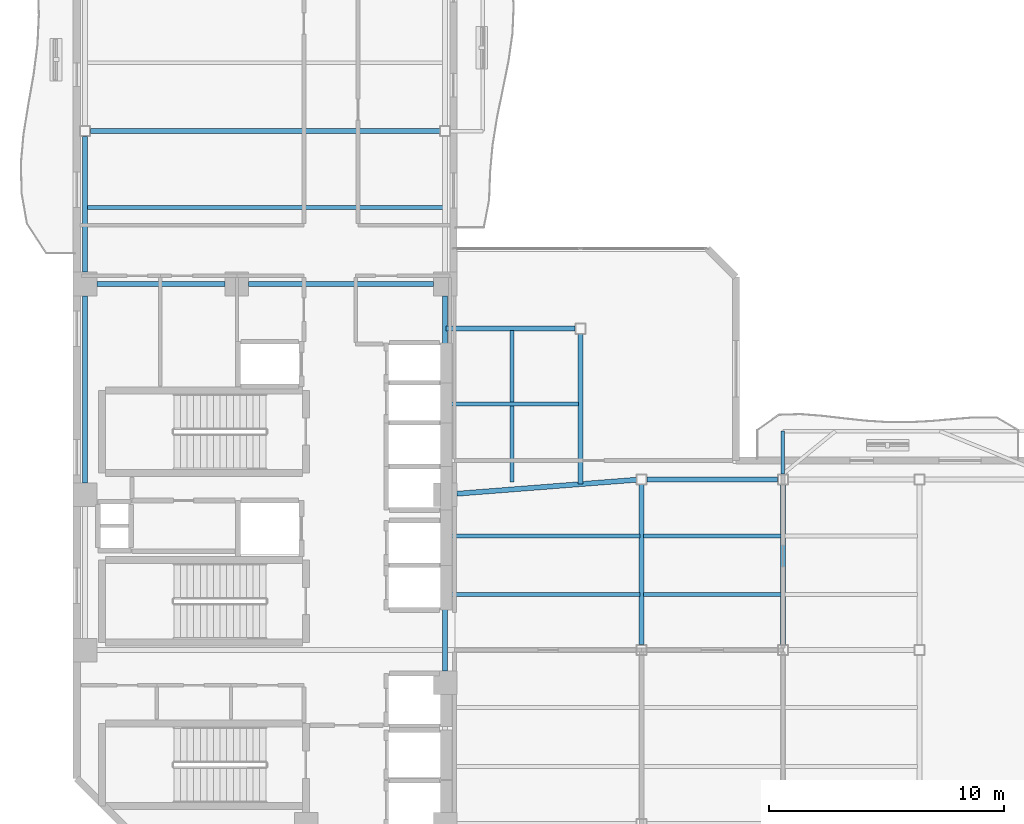
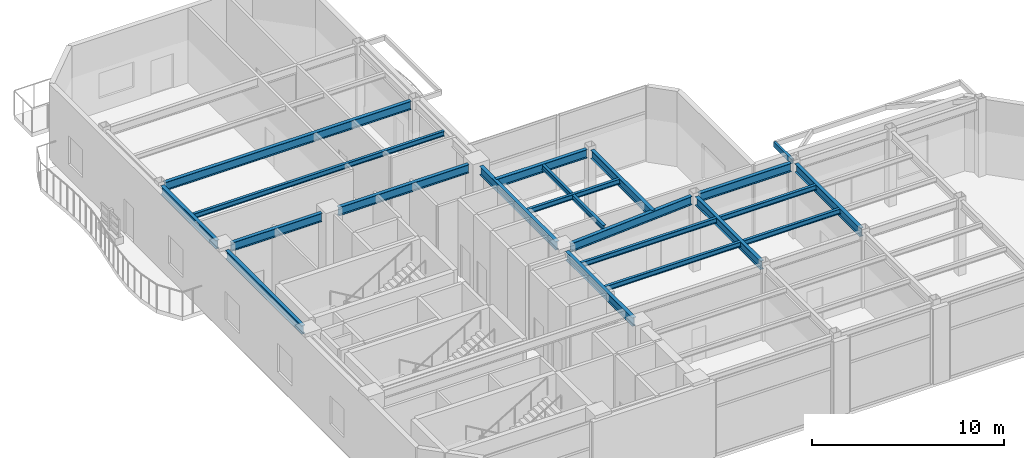
# One storey, part 6 of 16: 21 beams.
"""IFC4 building model written with IfcOpenShell, lengths in metres."""

from ifc_helpers import new_model, si_unit, direction, frame, origin, origin_2d, place, context, subcontext, project, spatial, hollow_rectangle, i_section, extrude, material, material_profile, profile_set, type_object, element, save


model = new_model("IFC4")

# Units and contexts
model_context = context("Model", 3, precision=1e-05, world=origin(), true_north=direction((0.0, 1.0)))
body_context = subcontext(model_context, "Body", "Model", "MODEL_VIEW")
ifc_project = project(units=[si_unit("LENGTHUNIT", "METRE"), si_unit("AREAUNIT", "SQUARE_METRE"), si_unit("VOLUMEUNIT", "CUBIC_METRE"), si_unit("PLANEANGLEUNIT", "RADIAN"), si_unit("MASSUNIT", "GRAM", prefix="KILO")], contexts=[model_context])

# Site, building, storey
site_placement = place(None, origin())
site = spatial("IfcSite", under=ifc_project, at=site_placement, CompositionType="ELEMENT")
building_placement = place(site_placement, origin())
building = spatial("IfcBuilding", under=site, at=building_placement, Name="Mawjaban Terraces University", CompositionType="ELEMENT")
storey_placement = place(building_placement, frame((0.0, 0.0, 170.800048828125)))
storey = spatial("IfcBuildingStorey", under=building, at=storey_placement, Name="L41", CompositionType="ELEMENT", Elevation=170.800048828125)

# Beams
ifc_material_1 = material(Name="Steel EN 10210-1 S355J2H", Category="steel")
ifc_material_profile_1 = material_profile(ifc_material_1, hollow_rectangle(XDim=0.14990234375, YDim=0.300048828125, WallThickness=0.012451171875, at=origin_2d()), Name="RHS300X150X12.5")
ifc_profile_set_1 = profile_set([ifc_material_profile_1], Name="Steel EN 10210-1 S355J2H")
beam_type_1 = type_object("IfcBeamType", Name="BalconyCantileverSpandrel_RHS", PredefinedType="SPANDREL", material=ifc_profile_set_1)
beam_1_placement = place(storey_placement, frame((52.0, 15.425048828125, 4.639892578125), z_axis=(0.0, 1.0, 0.0), x_axis=(-1.0, 0.0, 0.0)))
element("IfcBeam", 1, at=beam_1_placement, inside=storey, type_object=beam_type_1, Name="L41 Exterior Outrigger BAL-L42-N.1", PredefinedType="SPANDREL", context=body_context, shape_type="SweptSolid", body=[
    extrude(hollow_rectangle(XDim=0.14990234375, YDim=0.300048828125, WallThickness=0.012451171875, at=origin_2d()), origin(), (0.0, 0.0, 1.0), 1.824951171875),
])
ifc_material_2 = material(Name="Steel ASTM A572 Grade 50", Category="steel")
ifc_material_profile_2 = material_profile(ifc_material_2, i_section(OverallWidth=0.2119140625, OverallDepth=0.5439453125, WebThickness=0.01318359375, FlangeThickness=0.021240234375, at=origin_2d()), Name="W530X123")
ifc_profile_set_2 = profile_set([ifc_material_profile_2], Name="Steel ASTM A572 Grade 50")
beam_type_2 = type_object("IfcBeamType", Name="Beam_B_W530X123", PredefinedType="BEAM", material=ifc_profile_set_2)
beam_2_placement = place(storey_placement, frame((46.22509765625, 15.199951171875, 4.51806640625), z_axis=(1.0, 0.0, 0.0), x_axis=(0.0, 1.0, 0.0)))
element("IfcBeam", 2, at=beam_2_placement, inside=storey, type_object=beam_type_2, Name="L41 Beam BM-L41-EW-07", PredefinedType="BEAM", context=body_context, shape_type="SweptSolid", body=[
    extrude(i_section(OverallWidth=0.2119140625, OverallDepth=0.5439453125, WebThickness=0.01318359375, FlangeThickness=0.021240234375, at=origin_2d()), origin(), (0.0, 0.0, 1.0), 5.5498046875),
])
beam_3_placement = place(storey_placement, frame((22.85009765625, 23.5, 4.51806640625), z_axis=(1.0, 0.0, 0.0), x_axis=(0.0, 1.0, 0.0)))
element("IfcBeam", 3, at=beam_3_placement, inside=storey, type_object=beam_type_2, Name="L41 Beam BM-L41-EW-10", PredefinedType="BEAM", context=body_context, shape_type="SweptSolid", body=[
    extrude(i_section(OverallWidth=0.2119140625, OverallDepth=0.5439453125, WebThickness=0.01318359375, FlangeThickness=0.021240234375, at=origin_2d()), origin(), (0.0, 0.0, 1.0), 5.449951171875),
])
beam_4_placement = place(storey_placement, frame((29.300048828125, 23.5, 4.51806640625), z_axis=(1.0, 0.0, 0.0), x_axis=(0.0, 1.0, 0.0)))
element("IfcBeam", 4, at=beam_4_placement, inside=storey, type_object=beam_type_2, Name="L41 Beam BM-L41-EW-11", PredefinedType="BEAM", context=body_context, shape_type="SweptSolid", body=[
    extrude(i_section(OverallWidth=0.2119140625, OverallDepth=0.5439453125, WebThickness=0.01318359375, FlangeThickness=0.021240234375, at=origin_2d()), origin(), (0.0, 0.0, 1.0), 7.849853515625),
])
beam_5_placement = place(storey_placement, frame((22.574951171875, 30.0, 4.51806640625), z_axis=(1.0, 0.0, 0.0), x_axis=(0.0, 1.0, 0.0)))
element("IfcBeam", 5, at=beam_5_placement, inside=storey, type_object=beam_type_2, Name="L41 Beam BM-L41-EW-12", PredefinedType="BEAM", context=body_context, shape_type="SweptSolid", body=[
    extrude(i_section(OverallWidth=0.2119140625, OverallDepth=0.5439453125, WebThickness=0.01318359375, FlangeThickness=0.021240234375, at=origin_2d()), origin(), (0.0, 0.0, 1.0), 14.85009765625),
])
beam_6_placement = place(storey_placement, frame((22.35009765625, 15.050048828125, 4.51806640625), z_axis=(0.0, 1.0, 0.0), x_axis=(-1.0, 0.0, 0.0)))
element("IfcBeam", 6, at=beam_6_placement, inside=storey, type_object=beam_type_2, Name="L41 Beam BM-L41-NS-02", PredefinedType="BEAM", context=body_context, shape_type="SweptSolid", body=[
    extrude(i_section(OverallWidth=0.2119140625, OverallDepth=0.5439453125, WebThickness=0.01318359375, FlangeThickness=0.021240234375, at=origin_2d()), origin(), (0.0, 0.0, 1.0), 7.949951171875),
])
beam_7_placement = place(storey_placement, frame((22.35009765625, 24.0, 4.51806640625), z_axis=(0.0, 1.0, 0.0), x_axis=(-1.0, 0.0, 0.0)))
element("IfcBeam", 7, at=beam_7_placement, inside=storey, type_object=beam_type_2, Name="L41 Beam BM-L41-NS-03", PredefinedType="BEAM", context=body_context, shape_type="SweptSolid", body=[
    extrude(i_section(OverallWidth=0.2119140625, OverallDepth=0.5439453125, WebThickness=0.01318359375, FlangeThickness=0.021240234375, at=origin_2d()), origin(), (0.0, 0.0, 1.0), 5.77490234375),
])
beam_8_placement = place(storey_placement, frame((37.64990234375, 7.050048828125, 4.51806640625), z_axis=(0.0, 1.0, 0.0), x_axis=(-1.0, 0.0, 0.0)))
element("IfcBeam", 8, at=beam_8_placement, inside=storey, type_object=beam_type_2, Name="L41 Beam BM-L41-NS-06", PredefinedType="BEAM", context=body_context, shape_type="SweptSolid", body=[
    extrude(i_section(OverallWidth=0.2119140625, OverallDepth=0.5439453125, WebThickness=0.01318359375, FlangeThickness=0.021240234375, at=origin_2d()), origin(), (0.0, 0.0, 1.0), 7.0),
])
beam_9_placement = place(storey_placement, frame((37.64990234375, 15.050048828125, 4.51806640625), z_axis=(0.0, 1.0, 0.0), x_axis=(-1.0, 0.0, 0.0)))
element("IfcBeam", 9, at=beam_9_placement, inside=storey, type_object=beam_type_2, Name="L41 Beam BM-L41-NS-07", PredefinedType="BEAM", context=body_context, shape_type="SweptSolid", body=[
    extrude(i_section(OverallWidth=0.2119140625, OverallDepth=0.5439453125, WebThickness=0.01318359375, FlangeThickness=0.021240234375, at=origin_2d()), origin(), (0.0, 0.0, 1.0), 7.949951171875),
])
for number, where, z_axis, x_axis, name in (
    (10, (46.0, 8.175048828125, 4.51806640625), (0.0, 1.0, 0.0), (-1.0, 0.0, 0.0), "L41 Beam BM-L41-NS-11"),
    (11, (52.0, 8.175048828125, 4.51806640625), (0.0, 1.0, 0.0), (-1.0, 0.0, 0.0), "L41 Beam BM-L41-NS-13"),
):
    element("IfcBeam", number, at=place(storey_placement, frame(where, z_axis=z_axis, x_axis=x_axis)), inside=storey, type_object=beam_type_2, Name=name, PredefinedType="BEAM", context=body_context, shape_type="SweptSolid", body=[
        extrude(i_section(OverallWidth=0.2119140625, OverallDepth=0.5439453125, WebThickness=0.01318359375, FlangeThickness=0.021240234375, at=origin_2d()), origin(), (0.0, 0.0, 1.0), 6.800048828125),
    ])
beam_10_placement = place(storey_placement, frame((38.14794921875, 14.589111328125, 4.51806640625), z_axis=(0.99698177718, 0.077635919341, 0.0), x_axis=(-0.077635919341, 0.99698177718, 0.0)))
element("IfcBeam", 12, at=beam_10_placement, inside=storey, type_object=beam_type_2, Name="L41 Beam BM-L41-CTIE", PredefinedType="BEAM", context=body_context, shape_type="SweptSolid", body=[
    extrude(i_section(OverallWidth=0.2119140625, OverallDepth=0.5439453125, WebThickness=0.01318359375, FlangeThickness=0.021240234375, at=origin_2d()), origin(), (0.0, 0.0, 1.0), 7.651123046875),
])
beam_11_placement = place(storey_placement, frame((37.679931640625, 21.60009765625, 4.51806640625), z_axis=(1.0, 0.0, 0.0), x_axis=(0.0, 1.0, 0.0)))
element("IfcBeam", 13, at=beam_11_placement, inside=storey, type_object=beam_type_2, Name="L41 Spur Tie Girder West", PredefinedType="BEAM", context=body_context, shape_type="SweptSolid", body=[
    extrude(i_section(OverallWidth=0.2119140625, OverallDepth=0.5439453125, WebThickness=0.01318359375, FlangeThickness=0.021240234375, at=origin_2d()), origin(), (0.0, 0.0, 1.0), 5.4951171875),
])
beam_12_placement = place(storey_placement, frame((43.39990234375, 15.0, 4.51806640625), z_axis=(0.0, 1.0, 0.0), x_axis=(-1.0, 0.0, 0.0)))
element("IfcBeam", 14, at=beam_12_placement, inside=storey, type_object=beam_type_2, Name="L41 Spur Tie Girder South", PredefinedType="BEAM", context=body_context, shape_type="SweptSolid", body=[
    extrude(i_section(OverallWidth=0.2119140625, OverallDepth=0.5439453125, WebThickness=0.01318359375, FlangeThickness=0.021240234375, at=origin_2d()), origin(), (0.0, 0.0, 1.0), 6.375),
])
ifc_material_profile_3 = material_profile(ifc_material_2, i_section(OverallWidth=0.1669921875, OverallDepth=0.318115234375, WebThickness=0.007568359375, FlangeThickness=0.01318359375, at=origin_2d()), Name="W310X52")
ifc_profile_set_3 = profile_set([ifc_material_profile_3], Name="Steel ASTM A572 Grade 50")
beam_type_3 = type_object("IfcBeamType", Name="Beam_J_W310X52", PredefinedType="JOIST", material=ifc_profile_set_3)
beam_13_placement = place(storey_placement, frame((37.72998046875, 10.300048828125, 4.630859375), z_axis=(1.0, 0.0, 0.0), x_axis=(0.0, 1.0, 0.0)))
element("IfcBeam", 15, at=beam_13_placement, inside=storey, type_object=beam_type_3, Name="L41 Composite Joist JST-L41-07", PredefinedType="JOIST", context=body_context, shape_type="SweptSolid", body=[
    extrude(i_section(OverallWidth=0.1669921875, OverallDepth=0.318115234375, WebThickness=0.007568359375, FlangeThickness=0.01318359375, at=origin_2d()), origin(), (0.0, 0.0, 1.0), 8.18994140625),
])
beam_14_placement = place(storey_placement, frame((46.080078125, 10.300048828125, 4.630859375), z_axis=(1.0, 0.0, 0.0), x_axis=(0.0, 1.0, 0.0)))
element("IfcBeam", 16, at=beam_14_placement, inside=storey, type_object=beam_type_3, Name="L41 Composite Joist JST-L41-08", PredefinedType="JOIST", context=body_context, shape_type="SweptSolid", body=[
    extrude(i_section(OverallWidth=0.1669921875, OverallDepth=0.318115234375, WebThickness=0.007568359375, FlangeThickness=0.01318359375, at=origin_2d()), origin(), (0.0, 0.0, 1.0), 5.83984375),
])
beam_15_placement = place(storey_placement, frame((37.72998046875, 12.800048828125, 4.630859375), z_axis=(1.0, 0.0, 0.0), x_axis=(0.0, 1.0, 0.0)))
element("IfcBeam", 17, at=beam_15_placement, inside=storey, type_object=beam_type_3, Name="L41 Composite Joist JST-L41-10", PredefinedType="JOIST", context=body_context, shape_type="SweptSolid", body=[
    extrude(i_section(OverallWidth=0.1669921875, OverallDepth=0.318115234375, WebThickness=0.007568359375, FlangeThickness=0.01318359375, at=origin_2d()), origin(), (0.0, 0.0, 1.0), 8.18994140625),
])
beam_16_placement = place(storey_placement, frame((46.080078125, 12.800048828125, 4.630859375), z_axis=(1.0, 0.0, 0.0), x_axis=(0.0, 1.0, 0.0)))
element("IfcBeam", 18, at=beam_16_placement, inside=storey, type_object=beam_type_3, Name="L41 Composite Joist JST-L41-11", PredefinedType="JOIST", context=body_context, shape_type="SweptSolid", body=[
    extrude(i_section(OverallWidth=0.1669921875, OverallDepth=0.318115234375, WebThickness=0.007568359375, FlangeThickness=0.01318359375, at=origin_2d()), origin(), (0.0, 0.0, 1.0), 5.83984375),
])
beam_17_placement = place(storey_placement, frame((37.72998046875, 18.39990234375, 4.630859375), z_axis=(1.0, 0.0, 0.0), x_axis=(0.0, 1.0, 0.0)))
element("IfcBeam", 19, at=beam_17_placement, inside=storey, type_object=beam_type_3, Name="L41 Composite Joist JST-L41-13", PredefinedType="JOIST", context=body_context, shape_type="SweptSolid", body=[
    extrude(i_section(OverallWidth=0.1669921875, OverallDepth=0.318115234375, WebThickness=0.007568359375, FlangeThickness=0.01318359375, at=origin_2d()), origin(), (0.0, 0.0, 1.0), 5.590087890625),
])
beam_18_placement = place(storey_placement, frame((22.429931640625, 26.75, 4.630859375), z_axis=(1.0, 0.0, 0.0), x_axis=(0.0, 1.0, 0.0)))
element("IfcBeam", 20, at=beam_18_placement, inside=storey, type_object=beam_type_3, Name="L41 Composite Joist JST-L41-14", PredefinedType="JOIST", context=body_context, shape_type="SweptSolid", body=[
    extrude(i_section(OverallWidth=0.1669921875, OverallDepth=0.318115234375, WebThickness=0.007568359375, FlangeThickness=0.01318359375, at=origin_2d()), origin(), (0.0, 0.0, 1.0), 15.14013671875),
])
beam_19_placement = place(storey_placement, frame((40.5, 15.080078125, 4.630859375), z_axis=(0.0, 1.0, 0.0), x_axis=(-1.0, 0.0, 0.0)))
element("IfcBeam", 21, at=beam_19_placement, inside=storey, type_object=beam_type_3, Name="L41 Composite Joist JST-L41-NS-16", PredefinedType="JOIST", context=body_context, shape_type="SweptSolid", body=[
    extrude(i_section(OverallWidth=0.1669921875, OverallDepth=0.318115234375, WebThickness=0.007568359375, FlangeThickness=0.01318359375, at=origin_2d()), origin(), (0.0, 0.0, 1.0), 6.43994140625),
])

save(model, "model.ifc")
